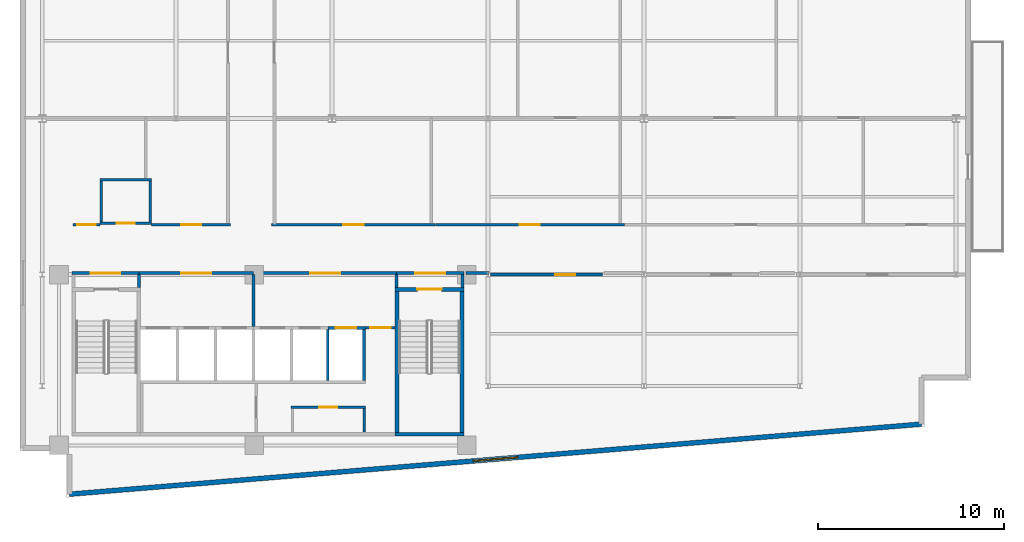
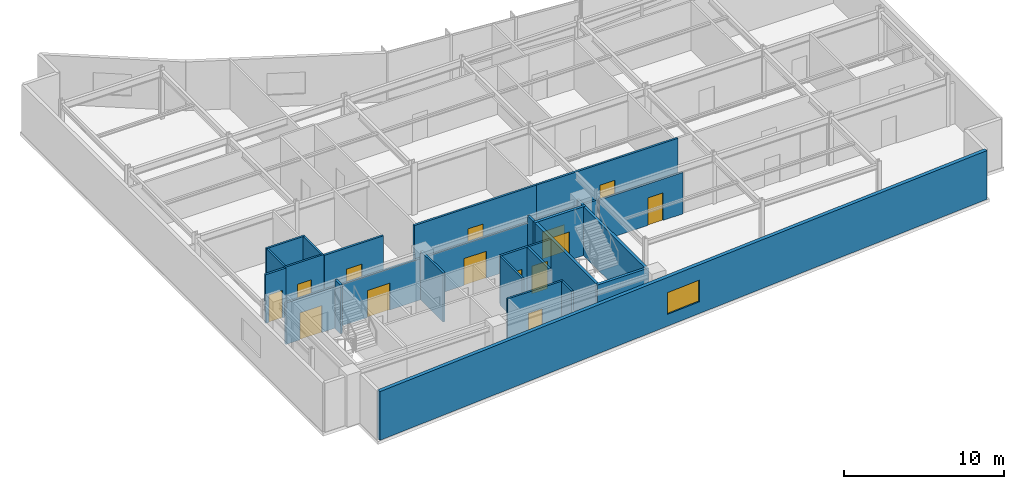
# One storey, part 9 of 14: 29 walls, 14 doors, 1 window, 15 openings.
"""IFC4 building model written with IfcOpenShell, lengths in metres."""

from ifc_helpers import new_model, si_unit, direction, frame, frame_2d, origin, place, context, subcontext, project, spatial, rectangle, extrude, material, layer, layer_set, type_object, element, fill, save


model = new_model("IFC4")

# Units and contexts
model_context = context("Model", 3, precision=1e-05, world=origin(), true_north=direction((0.0, 1.0)))
body_context = subcontext(model_context, "Body", "Model", "MODEL_VIEW")
ifc_project = project(units=[si_unit("LENGTHUNIT", "METRE"), si_unit("AREAUNIT", "SQUARE_METRE"), si_unit("VOLUMEUNIT", "CUBIC_METRE"), si_unit("PLANEANGLEUNIT", "RADIAN"), si_unit("MASSUNIT", "GRAM", prefix="KILO")], contexts=[model_context])

# Site, building, storey
site_placement = place(None, origin())
site = spatial("IfcSite", under=ifc_project, at=site_placement, CompositionType="ELEMENT")
building_placement = place(site_placement, origin())
building = spatial("IfcBuilding", under=site, at=building_placement, Name="Varnakote Quay Hospital", CompositionType="ELEMENT")
storey_placement = place(building_placement, frame((0.0, 0.0, 215.800048828125)))
storey = spatial("IfcBuildingStorey", under=building, at=storey_placement, Name="L53", CompositionType="ELEMENT", Elevation=215.800048828125)

# Wall, opening, door
ifc_material_1 = material(Name="Fire-rated acoustic gypsum stud wall", Category="gypsum")
ifc_layer_1 = layer(ifc_material_1, 0.159912109375)
ifc_layer_set_1 = layer_set([ifc_layer_1], Name="Fire-rated acoustic gypsum stud wall")
wall_type_1 = type_object("IfcWallType", Name="WL-COMP-160", PredefinedType="PARTITIONING", material=ifc_layer_set_1)
wall_1_placement = place(storey_placement, frame((2.800048828125, 12.080078125, 0.0), z_axis=(0.0, 0.0, 1.0), x_axis=(1.0, 0.0, 0.0)))
wall_1 = element("IfcWall", 1, at=wall_1_placement, inside=storey, type_object=wall_type_1, Name="L53 West Stair Vestibule Smoke Wall", PredefinedType="PARTITIONING", context=body_context, shape_type="SweptSolid", body=[
    extrude(rectangle(XDim=3.599853515625, YDim=0.159912109375, at=frame_2d((1.7998046875, 0.0))), origin(), (0.0, 0.0, 1.0), 3.15185546875),
])
opening_1_placement = place(wall_1_placement, frame((1.0, 0.0, 0.0)))
opening_1 = element("IfcOpeningElement", 2, at=opening_1_placement, cuts=wall_1, Name="Opening D-ST1L-L53", PredefinedType="OPENING", context=body_context, shape_type="SweptSolid", body=[
    extrude(rectangle(XDim=1.60009765625, YDim=2.050048828125, at=frame_2d((0.800048828125, 1.02490234375))), frame((0.0, 0.08984375, 0.0), z_axis=(0.0, -1.0, 0.0), x_axis=(1.0, 0.0, 0.0)), (0.0, 0.0, 1.0), 0.179931640625),
])
ifc_material_2 = material(Name="Fire-rated double smoke lobby door")
door_type_1 = type_object("IfcDoorType", Name="DR-LOBBY-FD60S-1600x2150", OperationType="NOTDEFINED", PredefinedType="DOOR", material=ifc_material_2)
door_1_placement = place(opening_1_placement, origin())
door_1 = element("IfcDoor", 3, at=door_1_placement, inside=storey, type_object=door_type_1, Name="L53 West Stair Vestibule Smoke Door", OperationType="DOUBLE_DOOR_SINGLE_SWING", OverallHeight=2.050048828125, OverallWidth=1.60009765625, PredefinedType="DOOR", context=body_context, shape_type="SweptSolid", body=[
    extrude(rectangle(XDim=1.60009765625, YDim=2.050048828125, at=frame_2d((0.800048828125, 1.02490234375))), frame((0.0, 0.02490234375, 0.0), z_axis=(0.0, -1.0, 0.0), x_axis=(1.0, 0.0, 0.0)), (0.0, 0.0, 1.0), 0.050048828125),
])
fill(opening_1, door_1)

# Wall
wall_2_placement = place(storey_placement, frame((6.39990234375, 11.300048828125, 0.0), z_axis=(0.0, 0.0, 1.0), x_axis=(0.0, 1.0, 0.0)))
element("IfcWall", 4, at=wall_2_placement, inside=storey, type_object=wall_type_1, Name="L53 Firefighting Lobby West Wall", PredefinedType="PARTITIONING", context=body_context, shape_type="SweptSolid", body=[
    extrude(rectangle(XDim=0.699951171875, YDim=0.159912109375, at=frame_2d((0.35009765625, 0.0))), origin(), (0.0, 0.0, 1.0), 3.7099609375),
])

# Wall, opening, door
wall_3_placement = place(storey_placement, frame((6.39990234375, 12.080078125, 0.0), z_axis=(0.0, 0.0, 1.0), x_axis=(1.0, 0.0, 0.0)))
wall_3 = element("IfcWall", 5, at=wall_3_placement, inside=storey, type_object=wall_type_1, Name="L53 Firefighting Lift Lobby Compartment Wall", PredefinedType="PARTITIONING", context=body_context, shape_type="SweptSolid", body=[
    extrude(rectangle(XDim=6.18017578125, YDim=0.159912109375, at=frame_2d((3.090087890625, 0.0))), origin(), (0.0, 0.0, 1.0), 3.15185546875),
])
opening_2_placement = place(wall_3_placement, frame((2.2900390625, 0.0, 0.0)))
opening_2 = element("IfcOpeningElement", 6, at=opening_2_placement, cuts=wall_3, Name="Opening D-FFL-L53", PredefinedType="OPENING", context=body_context, shape_type="SweptSolid", body=[
    extrude(rectangle(XDim=1.60009765625, YDim=2.050048828125, at=frame_2d((0.800048828125, 1.02490234375))), frame((0.0, 0.08984375, 0.0), z_axis=(0.0, -1.0, 0.0), x_axis=(1.0, 0.0, 0.0)), (0.0, 0.0, 1.0), 0.179931640625),
])
door_2_placement = place(opening_2_placement, origin())
door_2 = element("IfcDoor", 7, at=door_2_placement, inside=storey, type_object=door_type_1, Name="L53 Firefighting Smoke Vestibule Door", OperationType="DOUBLE_DOOR_SINGLE_SWING", OverallHeight=2.050048828125, OverallWidth=1.60009765625, PredefinedType="DOOR", context=body_context, shape_type="SweptSolid", body=[
    extrude(rectangle(XDim=1.60009765625, YDim=2.050048828125, at=frame_2d((0.800048828125, 1.02490234375))), frame((0.0, 0.02490234375, 0.0), z_axis=(0.0, -1.0, 0.0), x_axis=(1.0, 0.0, 0.0)), (0.0, 0.0, 1.0), 0.050048828125),
])
fill(opening_2, door_2)

# Wall
wall_4_placement = place(storey_placement, frame((12.580078125, 9.2099609375, 0.0), z_axis=(0.0, 0.0, 1.0), x_axis=(0.0, 1.0, 0.0)))
element("IfcWall", 8, at=wall_4_placement, inside=storey, type_object=wall_type_1, Name="L53 Firefighting to Service Lobby Wall", PredefinedType="PARTITIONING", context=body_context, shape_type="SweptSolid", body=[
    extrude(rectangle(XDim=2.7900390625, YDim=0.159912109375, at=frame_2d((1.39501953125, 0.0))), origin(), (0.0, 0.0, 1.0), 3.7099609375),
])

# Wall, opening, door
wall_5_placement = place(storey_placement, frame((12.580078125, 12.080078125, 0.0), z_axis=(0.0, 0.0, 1.0), x_axis=(1.0, 0.0, 0.0)))
wall_5 = element("IfcWall", 9, at=wall_5_placement, inside=storey, type_object=wall_type_1, Name="L53 Clinical Bed Lift Lobby Wall", PredefinedType="PARTITIONING", context=body_context, shape_type="SweptSolid", body=[
    extrude(rectangle(XDim=7.699951171875, YDim=0.159912109375, at=frame_2d((3.85009765625, 0.0))), origin(), (0.0, 0.0, 1.0), 3.15185546875),
])
opening_3_placement = place(wall_5_placement, frame((3.050048828125, 0.0, 0.0)))
opening_3 = element("IfcOpeningElement", 10, at=opening_3_placement, cuts=wall_5, Name="Opening D-SVL-L53", PredefinedType="OPENING", context=body_context, shape_type="SweptSolid", body=[
    extrude(rectangle(XDim=1.60009765625, YDim=2.050048828125, at=frame_2d((0.800048828125, 1.02490234375))), frame((0.0, 0.08984375, 0.0), z_axis=(0.0, -1.0, 0.0), x_axis=(1.0, 0.0, 0.0)), (0.0, 0.0, 1.0), 0.179931640625),
])
door_3_placement = place(opening_3_placement, origin())
door_3 = element("IfcDoor", 11, at=door_3_placement, inside=storey, type_object=door_type_1, Name="L53 Clinical Core Smoke Vestibule Door", OperationType="DOUBLE_DOOR_SINGLE_SWING", OverallHeight=2.050048828125, OverallWidth=1.60009765625, PredefinedType="DOOR", context=body_context, shape_type="SweptSolid", body=[
    extrude(rectangle(XDim=1.60009765625, YDim=2.050048828125, at=frame_2d((0.800048828125, 1.02490234375))), frame((0.0, 0.02490234375, 0.0), z_axis=(0.0, -1.0, 0.0), x_axis=(1.0, 0.0, 0.0)), (0.0, 0.0, 1.0), 0.050048828125),
])
fill(opening_3, door_3)

# Wall
wall_6_placement = place(storey_placement, frame((20.280029296875, 11.300048828125, 0.0), z_axis=(0.0, 0.0, 1.0), x_axis=(0.0, 1.0, 0.0)))
element("IfcWall", 12, at=wall_6_placement, inside=storey, type_object=wall_type_1, Name="L53 East Stair Vestibule Divider Wall", PredefinedType="PARTITIONING", context=body_context, shape_type="SweptSolid", body=[
    extrude(rectangle(XDim=0.699951171875, YDim=0.159912109375, at=frame_2d((0.35009765625, 0.0))), origin(), (0.0, 0.0, 1.0), 3.7099609375),
])

# Wall, opening, door
wall_7_placement = place(storey_placement, frame((20.280029296875, 12.080078125, 0.0), z_axis=(0.0, 0.0, 1.0), x_axis=(1.0, 0.0, 0.0)))
wall_7 = element("IfcWall", 13, at=wall_7_placement, inside=storey, type_object=wall_type_1, Name="L53 East Stair Vestibule Smoke Wall", PredefinedType="PARTITIONING", context=body_context, shape_type="SweptSolid", body=[
    extrude(rectangle(XDim=3.619873046875, YDim=0.159912109375, at=frame_2d((1.81005859375, 0.0))), origin(), (0.0, 0.0, 1.0), 3.15185546875),
])
opening_4_placement = place(wall_7_placement, frame((1.010009765625, 0.0, 0.0)))
opening_4 = element("IfcOpeningElement", 14, at=opening_4_placement, cuts=wall_7, Name="Opening D-ST2L-L53", PredefinedType="OPENING", context=body_context, shape_type="SweptSolid", body=[
    extrude(rectangle(XDim=1.60009765625, YDim=2.050048828125, at=frame_2d((0.800048828125, 1.02490234375))), frame((0.0, 0.08984375, 0.0), z_axis=(0.0, -1.0, 0.0), x_axis=(1.0, 0.0, 0.0)), (0.0, 0.0, 1.0), 0.179931640625),
])
door_4_placement = place(opening_4_placement, origin())
door_4 = element("IfcDoor", 15, at=door_4_placement, inside=storey, type_object=door_type_1, Name="L53 East Stair Vestibule Smoke Door", OperationType="DOUBLE_DOOR_SINGLE_SWING", OverallHeight=2.050048828125, OverallWidth=1.60009765625, PredefinedType="DOOR", context=body_context, shape_type="SweptSolid", body=[
    extrude(rectangle(XDim=1.60009765625, YDim=2.050048828125, at=frame_2d((0.800048828125, 1.02490234375))), frame((0.0, 0.02490234375, 0.0), z_axis=(0.0, -1.0, 0.0), x_axis=(1.0, 0.0, 0.0)), (0.0, 0.0, 1.0), 0.050048828125),
])
fill(opening_4, door_4)

# Walls
wall_8_placement = place(storey_placement, frame((23.820068359375, 11.300048828125, 0.0), z_axis=(0.0, 0.0, 1.0), x_axis=(0.0, 1.0, 0.0)))
element("IfcWall", 16, at=wall_8_placement, inside=storey, type_object=wall_type_1, Name="L53 East Stair Vestibule East Wall", PredefinedType="PARTITIONING", context=body_context, shape_type="SweptSolid", body=[
    extrude(rectangle(XDim=0.699951171875, YDim=0.159912109375, at=frame_2d((0.35009765625, 0.0))), origin(), (0.0, 0.0, 1.0), 3.7099609375),
])
wall_9_placement = place(storey_placement, frame((24.02001953125, 12.080078125, 0.0), z_axis=(0.0, 0.0, 1.0), x_axis=(1.0, 0.0, 0.0)))
element("IfcWall", 17, at=wall_9_placement, inside=storey, type_object=wall_type_1, Name="L53 Corridor South Gap Wall", PredefinedType="PARTITIONING", context=body_context, shape_type="SweptSolid", body=[
    extrude(rectangle(XDim=1.21875, YDim=0.159912109375, at=frame_2d((0.609375, 0.0))), origin(), (0.0, 0.0, 1.0), 3.15185546875),
])

# Wall, opening, window
ifc_material_3 = material(Name="Precast concrete N50 (f'c 50 MPa)", Category="concrete")
ifc_layer_2 = layer(ifc_material_3, 0.260009765625)
ifc_layer_set_2 = layer_set([ifc_layer_2], Name="Precast concrete N50 (f'c 50 MPa)")
wall_type_2 = type_object("IfcWallType", Name="WL-EXT-BRICK-260", PredefinedType="STANDARD", material=ifc_layer_set_2)
wall_10_placement = place(storey_placement, frame((2.659912109375, 0.173583984375, 0.0), z_axis=(0.0, 0.0, 1.0), x_axis=(0.996634028439, 0.081979347142, 0.0)))
wall_10 = element("IfcWall", 18, at=wall_10_placement, inside=storey, type_object=wall_type_2, Name="L53 Brick-Faced Precast Exterior Wall", PredefinedType="STANDARD", context=body_context, shape_type="SweptSolid", body=[
    extrude(rectangle(XDim=46.03515625, YDim=0.260009765625, at=frame_2d((23.017578125, 0.0))), origin(), (0.0, 0.0, 1.0), 3.7099609375),
])
opening_5_placement = place(wall_10_placement, frame((21.8173828125, 0.0, 0.89990234375)))
opening_5 = element("IfcOpeningElement", 19, at=opening_5_placement, cuts=wall_10, Name="Opening WN-0218", PredefinedType="OPENING", context=body_context, shape_type="SweptSolid", body=[
    extrude(rectangle(XDim=2.39990234375, YDim=1.64990234375, at=frame_2d((1.199951171875, 0.824951171875))), frame((0.0, 0.139892578125, 0.0), z_axis=(0.0, -1.0, 0.0), x_axis=(1.0, 0.0, 0.0)), (0.0, 0.0, 1.0), 0.280029296875),
])
ifc_material_4 = material(Name="Double-glazed low-E solar glass", Category="glass")
window_type = type_object("IfcWindowType", Name="WIN-CLIN-2400x1650", PartitioningType="SINGLE_PANEL", PredefinedType="WINDOW", material=ifc_material_4)
window_placement = place(opening_5_placement, origin())
window = element("IfcWindow", 20, at=window_placement, inside=storey, type_object=window_type, Name="L53 Solar-Control Clinical Window", OverallHeight=1.64990234375, OverallWidth=2.39990234375, PartitioningType="SINGLE_PANEL", PredefinedType="WINDOW", context=body_context, shape_type="SweptSolid", body=[
    extrude(rectangle(XDim=2.39990234375, YDim=1.64990234375, at=frame_2d((1.199951171875, 0.824951171875))), frame((0.0, 0.030029296875, 0.0), z_axis=(0.0, -1.0, 0.0), x_axis=(1.0, 0.0, 0.0)), (0.0, 0.0, 1.0), 0.06005859375),
])
fill(opening_5, window)

# Walls
ifc_material_5 = material(Name="Concrete N50 (f'c 50 MPa)", Category="concrete")
ifc_layer_3 = layer(ifc_material_5, 0.14990234375)
ifc_layer_set_3 = layer_set([ifc_layer_3], Name="Concrete N50 (f'c 50 MPa)")
wall_type_3 = type_object("IfcWallType", Name="WL-SHAFT-N50-150", PredefinedType="SHEAR", material=ifc_layer_set_3)
wall_11_placement = place(storey_placement, frame((16.574951171875, 6.300048828125, 0.0), z_axis=(0.0, 0.0, 1.0), x_axis=(0.0, 1.0, 0.0)))
element("IfcWall", 21, at=wall_11_placement, inside=storey, type_object=wall_type_3, Name="L53 LF-PH1 Hoistway Divider Wall", PredefinedType="SHEAR", context=body_context, shape_type="SweptSolid", body=[
    extrude(rectangle(XDim=2.75, YDim=0.14990234375, at=frame_2d((1.375, 0.0))), origin(), (0.0, 0.0, 1.0), 3.7099609375),
])
ifc_material_6 = material(Name="Concrete N50 (f'c 50 MPa)", Category="concrete")
ifc_layer_4 = layer(ifc_material_6, 0.159912109375)
ifc_layer_set_4 = layer_set([ifc_layer_4], Name="Concrete N50 (f'c 50 MPa)")
wall_type_4 = type_object("IfcWallType", Name="WL-SHAFT-N50-160", PredefinedType="SHEAR", material=ifc_layer_set_4)
wall_12_placement = place(storey_placement, frame((18.530029296875, 6.300048828125, 0.0), z_axis=(0.0, 0.0, 1.0), x_axis=(0.0, 1.0, 0.0)))
element("IfcWall", 22, at=wall_12_placement, inside=storey, type_object=wall_type_4, Name="L53 REAR Lift Bank East Shear Wall", PredefinedType="SHEAR", context=body_context, shape_type="SweptSolid", body=[
    extrude(rectangle(XDim=2.75, YDim=0.159912109375, at=frame_2d((1.375, 0.0))), origin(), (0.0, 0.0, 1.0), 3.7099609375),
])

# Wall, opening, door
wall_13_placement = place(storey_placement, frame((16.574951171875, 9.1298828125, 0.0), z_axis=(0.0, 0.0, 1.0), x_axis=(1.0, 0.0, 0.0)))
wall_13 = element("IfcWall", 23, at=wall_13_placement, inside=storey, type_object=wall_type_4, Name="L53 LF-PH2 Hoistway Front Wall", PredefinedType="SHEAR", context=body_context, shape_type="SweptSolid", body=[
    extrude(rectangle(XDim=2.03515625, YDim=0.159912109375, at=frame_2d((1.017578125, 0.0))), origin(), (0.0, 0.0, 1.0), 3.7099609375),
])
opening_6_placement = place(wall_13_placement, frame((0.425048828125, 0.0, 0.0)))
opening_6 = element("IfcOpeningElement", 24, at=opening_6_placement, cuts=wall_13, Name="Opening LD-PH2-L53", PredefinedType="OPENING", context=body_context, shape_type="SweptSolid", body=[
    extrude(rectangle(XDim=1.10009765625, YDim=2.14990234375, at=frame_2d((0.550048828125, 1.074951171875))), frame((0.0, 0.08984375, 0.0), z_axis=(0.0, -1.0, 0.0), x_axis=(1.0, 0.0, 0.0)), (0.0, 0.0, 1.0), 0.179931640625),
])
ifc_material_7 = material(Name="Brushed bronze lift landing sliding door")
door_type_2 = type_object("IfcDoorType", Name="DR-LIFT-LD-1100x2150", OperationType="NOTDEFINED", PredefinedType="DOOR", material=ifc_material_7)
door_5_placement = place(opening_6_placement, origin())
door_5 = element("IfcDoor", 25, at=door_5_placement, inside=storey, type_object=door_type_2, Name="L53 LF-PH2 Lift Landing Sliding Door", OperationType="SLIDING_TO_LEFT", OverallHeight=2.14990234375, OverallWidth=1.10009765625, PredefinedType="DOOR", context=body_context, shape_type="SweptSolid", body=[
    extrude(rectangle(XDim=1.10009765625, YDim=2.14990234375, at=frame_2d((0.550048828125, 1.074951171875))), frame((0.0, 0.02490234375, 0.0), z_axis=(0.0, -1.0, 0.0), x_axis=(1.0, 0.0, 0.0)), (0.0, 0.0, 1.0), 0.050048828125),
])
fill(opening_6, door_5)

# Walls
ifc_material_8 = material(Name="Concrete N50 (f'c 50 MPa)", Category="concrete")
ifc_layer_5 = layer(ifc_material_8, 0.199951171875)
ifc_layer_set_5 = layer_set([ifc_layer_5], Name="Concrete N50 (f'c 50 MPa)")
wall_type_5 = type_object("IfcWallType", Name="WL-SHAFT-N50-200", PredefinedType="SHEAR", material=ifc_layer_set_5)
wall_14_placement = place(storey_placement, frame((20.199951171875, 3.39990234375, 0.0), z_axis=(0.0, 0.0, 1.0), x_axis=(1.0, 0.0, 0.0)))
element("IfcWall", 26, at=wall_14_placement, inside=storey, type_object=wall_type_5, Name="L53 Stair ST2 South Shaft Wall", PredefinedType="SHEAR", context=body_context, shape_type="SweptSolid", body=[
    extrude(rectangle(XDim=3.699951171875, YDim=0.199951171875, at=frame_2d((1.85009765625, 0.0))), origin(), (0.0, 0.0, 1.0), 3.7099609375),
])
for number, where, z_axis, x_axis, name in (
    (27, (20.300048828125, 3.5, 0.0), (0.0, 0.0, 1.0), (0.0, 1.0, 0.0), "L53 Stair ST2 West Shaft Wall"),
    (28, (23.800048828125, 3.5, 0.0), (0.0, 0.0, 1.0), (0.0, 1.0, 0.0), "L53 Stair ST2 East Shaft Wall"),
):
    element("IfcWall", number, at=place(storey_placement, frame(where, z_axis=z_axis, x_axis=x_axis)), inside=storey, type_object=wall_type_5, Name=name, PredefinedType="SHEAR", context=body_context, shape_type="SweptSolid", body=[
        extrude(rectangle(XDim=7.60009765625, YDim=0.199951171875, at=frame_2d((3.800048828125, 0.0))), origin(), (0.0, 0.0, 1.0), 3.7099609375),
    ])

# Wall, opening, door
wall_15_placement = place(storey_placement, frame((20.199951171875, 11.199951171875, 0.0), z_axis=(0.0, 0.0, 1.0), x_axis=(1.0, 0.0, 0.0)))
wall_15 = element("IfcWall", 29, at=wall_15_placement, inside=storey, type_object=wall_type_5, Name="L53 Stair ST2 Exit Wall", PredefinedType="SHEAR", context=body_context, shape_type="SweptSolid", body=[
    extrude(rectangle(XDim=3.699951171875, YDim=0.199951171875, at=frame_2d((1.85009765625, 0.0))), origin(), (0.0, 0.0, 1.0), 3.7099609375),
])
opening_7_placement = place(wall_15_placement, frame((1.199951171875, 0.0, 0.0)))
opening_7 = element("IfcOpeningElement", 30, at=opening_7_placement, cuts=wall_15, Name="Opening D-ST2-L53", PredefinedType="OPENING", context=body_context, shape_type="SweptSolid", body=[
    extrude(rectangle(XDim=1.300048828125, YDim=2.14990234375, at=frame_2d((0.64990234375, 1.074951171875))), frame((0.0, 0.10986328125, 0.0), z_axis=(0.0, -1.0, 0.0), x_axis=(1.0, 0.0, 0.0)), (0.0, 0.0, 1.0), 0.219970703125),
])
ifc_material_9 = material(Name="Fire-rated ceramic-glazed timber exit door", Category="wood")
door_type_3 = type_object("IfcDoorType", Name="DR-STAIR-FD60S-1300x2150", OperationType="NOTDEFINED", PredefinedType="DOOR", material=ifc_material_9)
door_6_placement = place(opening_7_placement, origin())
door_6 = element("IfcDoor", 31, at=door_6_placement, inside=storey, type_object=door_type_3, Name="L53 Stair ST2 Fire Exit Door", OperationType="SINGLE_SWING_LEFT", OverallHeight=2.14990234375, OverallWidth=1.300048828125, PredefinedType="DOOR", context=body_context, shape_type="SweptSolid", body=[
    extrude(rectangle(XDim=1.300048828125, YDim=2.14990234375, at=frame_2d((0.64990234375, 1.074951171875))), frame((0.0, 0.02490234375, 0.0), z_axis=(0.0, -1.0, 0.0), x_axis=(1.0, 0.0, 0.0)), (0.0, 0.0, 1.0), 0.050048828125),
])
fill(opening_7, door_6)

# Wall
ifc_material_10 = material(Name="Smoke-proof clinical partition", Category="gypsum")
ifc_layer_6 = layer(ifc_material_10, 0.1201171875)
ifc_layer_set_6 = layer_set([ifc_layer_6], Name="Smoke-proof clinical partition")
wall_type_6 = type_object("IfcWallType", Name="WL-SMOKE-120", PredefinedType="PARTITIONING", material=ifc_layer_set_6)
wall_16_placement = place(storey_placement, frame((18.5400390625, 3.52001953125, 0.0), z_axis=(0.0, 0.0, 1.0), x_axis=(0.0, 1.0, 0.0)))
element("IfcWall", 32, at=wall_16_placement, inside=storey, type_object=wall_type_6, Name="L53 Core WC East Wall", PredefinedType="PARTITIONING", context=body_context, shape_type="SweptSolid", body=[
    extrude(rectangle(XDim=1.260009765625, YDim=0.1201171875, at=frame_2d((0.6298828125, 0.0))), origin(), (0.0, 0.0, 1.0), 3.7099609375),
])

# Wall, opening, door
ifc_material_11 = material(Name="Fire-rated clinical gypsum partition", Category="gypsum")
ifc_layer_7 = layer(ifc_material_11, 0.139892578125)
ifc_layer_set_7 = layer_set([ifc_layer_7], Name="Fire-rated clinical gypsum partition")
wall_type_7 = type_object("IfcWallType", Name="WL-WARD-140", PredefinedType="PARTITIONING", material=ifc_layer_set_7)
wall_17_placement = place(storey_placement, frame((14.60009765625, 4.85009765625, 0.0), z_axis=(0.0, 0.0, 1.0), x_axis=(1.0, 0.0, 0.0)))
wall_17 = element("IfcWall", 33, at=wall_17_placement, inside=storey, type_object=wall_type_7, Name="L53 Core Staff Sanitary WC North Wall", PredefinedType="PARTITIONING", context=body_context, shape_type="SweptSolid", body=[
    extrude(rectangle(XDim=4.0, YDim=0.139892578125, at=frame_2d((2.0, 0.0))), origin(), (0.0, 0.0, 1.0), 3.7099609375),
])
opening_8_placement = place(wall_17_placement, frame((1.510009765625, 0.0, 0.0)))
opening_8 = element("IfcOpeningElement", 34, at=opening_8_placement, cuts=wall_17, Name="Opening D-L53-CR02", PredefinedType="OPENING", context=body_context, shape_type="SweptSolid", body=[
    extrude(rectangle(XDim=0.97998046875, YDim=2.10009765625, at=frame_2d((0.489990234375, 1.050048828125))), frame((0.0, 0.079833984375, 0.0), z_axis=(0.0, -1.0, 0.0), x_axis=(1.0, 0.0, 0.0)), (0.0, 0.0, 1.0), 0.159912109375),
])
ifc_material_12 = material(Name="Accessible sanitary compartment door")
door_type_4 = type_object("IfcDoorType", Name="DR-WC-980x2100", OperationType="NOTDEFINED", PredefinedType="DOOR", material=ifc_material_12)
door_7_placement = place(opening_8_placement, origin())
door_7 = element("IfcDoor", 35, at=door_7_placement, inside=storey, type_object=door_type_4, Name="L53 Core Staff Sanitary WC Door", OperationType="SINGLE_SWING_LEFT", OverallHeight=2.10009765625, OverallWidth=0.97998046875, PredefinedType="DOOR", context=body_context, shape_type="SweptSolid", body=[
    extrude(rectangle(XDim=0.97998046875, YDim=2.10009765625, at=frame_2d((0.489990234375, 1.050048828125))), frame((0.0, 0.02490234375, 0.0), z_axis=(0.0, -1.0, 0.0), x_axis=(1.0, 0.0, 0.0)), (0.0, 0.0, 1.0), 0.050048828125),
])
fill(opening_8, door_7)

wall_18_placement = place(storey_placement, frame((18.610107421875, 9.1298828125, 0.0), z_axis=(0.0, 0.0, 1.0), x_axis=(1.0, 0.0, 0.0)))
wall_18 = element("IfcWall", 36, at=wall_18_placement, inside=storey, type_object=wall_type_7, Name="L53 Core Service Corridor North Door Wall", PredefinedType="PARTITIONING", context=body_context, shape_type="SweptSolid", body=[
    extrude(rectangle(XDim=1.58984375, YDim=0.139892578125, at=frame_2d((0.794921875, 0.0))), origin(), (0.0, 0.0, 1.0), 3.7099609375),
])
opening_9_placement = place(wall_18_placement, frame((0.239990234375, 0.0, 0.0)))
opening_9 = element("IfcOpeningElement", 37, at=opening_9_placement, cuts=wall_18, Name="Opening D-CSRV-L53", PredefinedType="OPENING", context=body_context, shape_type="SweptSolid", body=[
    extrude(rectangle(XDim=1.10009765625, YDim=2.10009765625, at=frame_2d((0.550048828125, 1.050048828125))), frame((0.0, 0.079833984375, 0.0), z_axis=(0.0, -1.0, 0.0), x_axis=(1.0, 0.0, 0.0)), (0.0, 0.0, 1.0), 0.159912109375),
])
ifc_material_13 = material(Name="Acoustic timber clinical consult door", Category="wood")
door_type_5 = type_object("IfcDoorType", Name="DR-CLIN-FD30S-1100x2100", OperationType="NOTDEFINED", PredefinedType="DOOR", material=ifc_material_13)
door_8_placement = place(opening_9_placement, origin())
door_8 = element("IfcDoor", 38, at=door_8_placement, inside=storey, type_object=door_type_5, Name="L53 Core Service Corridor Door", OperationType="SINGLE_SWING_RIGHT", OverallHeight=2.10009765625, OverallWidth=1.10009765625, PredefinedType="DOOR", context=body_context, shape_type="SweptSolid", body=[
    extrude(rectangle(XDim=1.10009765625, YDim=2.10009765625, at=frame_2d((0.550048828125, 1.050048828125))), frame((0.0, 0.02490234375, 0.0), z_axis=(0.0, -1.0, 0.0), x_axis=(1.0, 0.0, 0.0)), (0.0, 0.0, 1.0), 0.050048828125),
])
fill(opening_9, door_8)

wall_19_placement = place(storey_placement, frame((4.31005859375, 14.77001953125, 0.0), z_axis=(0.0, 0.0, 1.0), x_axis=(1.0, 0.0, 0.0)))
wall_19 = element("IfcWall", 39, at=wall_19_placement, inside=storey, type_object=wall_type_7, Name="L53 Floor Unisex Accessible WC S Wall", PredefinedType="PARTITIONING", context=body_context, shape_type="SweptSolid", body=[
    extrude(rectangle(XDim=2.780029296875, YDim=0.139892578125, at=frame_2d((1.39013671875, 0.0))), origin(), (0.0, 0.0, 1.0), 3.7099609375),
])
opening_10_placement = place(wall_19_placement, frame((0.89990234375, 0.0, 0.0)))
opening_10 = element("IfcOpeningElement", 40, at=opening_10_placement, cuts=wall_19, Name="Opening D-L53-EW01", PredefinedType="OPENING", context=body_context, shape_type="SweptSolid", body=[
    extrude(rectangle(XDim=0.97998046875, YDim=2.10009765625, at=frame_2d((0.489990234375, 1.050048828125))), frame((0.0, 0.079833984375, 0.0), z_axis=(0.0, -1.0, 0.0), x_axis=(1.0, 0.0, 0.0)), (0.0, 0.0, 1.0), 0.159912109375),
])
door_9_placement = place(opening_10_placement, origin())
door_9 = element("IfcDoor", 41, at=door_9_placement, inside=storey, type_object=door_type_4, Name="L53 Floor Unisex Accessible WC Door", OperationType="SINGLE_SWING_LEFT", OverallHeight=2.10009765625, OverallWidth=0.97998046875, PredefinedType="DOOR", context=body_context, shape_type="SweptSolid", body=[
    extrude(rectangle(XDim=0.97998046875, YDim=2.10009765625, at=frame_2d((0.489990234375, 1.050048828125))), frame((0.0, 0.02490234375, 0.0), z_axis=(0.0, -1.0, 0.0), x_axis=(1.0, 0.0, 0.0)), (0.0, 0.0, 1.0), 0.050048828125),
])
fill(opening_10, door_9)

# Walls
wall_20_placement = place(storey_placement, frame((4.31005859375, 17.110107421875, 0.0), z_axis=(0.0, 0.0, 1.0), x_axis=(1.0, 0.0, 0.0)))
element("IfcWall", 42, at=wall_20_placement, inside=storey, type_object=wall_type_7, Name="L53 Floor Unisex Accessible WC N Wall", PredefinedType="PARTITIONING", context=body_context, shape_type="SweptSolid", body=[
    extrude(rectangle(XDim=2.780029296875, YDim=0.139892578125, at=frame_2d((1.39013671875, 0.0))), origin(), (0.0, 0.0, 1.0), 3.7099609375),
])
for number, where, z_axis, x_axis, name in (
    (43, (4.3798828125, 14.840087890625, 0.0), (0.0, 0.0, 1.0), (0.0, 1.0, 0.0), "L53 Floor Unisex Accessible WC W Wall"),
    (44, (7.02001953125, 14.840087890625, 0.0), (0.0, 0.0, 1.0), (0.0, 1.0, 0.0), "L53 Floor Unisex Accessible WC E Wall"),
):
    element("IfcWall", number, at=place(storey_placement, frame(where, z_axis=z_axis, x_axis=x_axis)), inside=storey, type_object=wall_type_7, Name=name, PredefinedType="PARTITIONING", context=body_context, shape_type="SweptSolid", body=[
        extrude(rectangle(XDim=2.199951171875, YDim=0.139892578125, at=frame_2d((1.10009765625, 0.0))), origin(), (0.0, 0.0, 1.0), 3.7099609375),
    ])

# Wall, opening, door
ifc_material_14 = material(Name="Fire-rated clinical gypsum partition", Category="gypsum")
ifc_layer_8 = layer(ifc_material_14, 0.14990234375)
ifc_layer_set_8 = layer_set([ifc_layer_8], Name="Fire-rated clinical gypsum partition")
wall_type_8 = type_object("IfcWallType", Name="WL-WARD-150", PredefinedType="PARTITIONING", material=ifc_layer_set_8)
wall_21_placement = place(storey_placement, frame((31.35009765625, 12.0, 0.0), z_axis=(0.0, 0.0, 1.0), x_axis=(-1.0, 0.0, 0.0)))
wall_21 = element("IfcWall", 45, at=wall_21_placement, inside=storey, type_object=wall_type_8, Name="L53 Clinical Interior Partition", PredefinedType="PARTITIONING", context=body_context, shape_type="SweptSolid", body=[
    extrude(rectangle(XDim=6.022216796875, YDim=0.14990234375, at=frame_2d((3.01123046875, 0.0))), origin(), (0.0, 0.0, 1.0), 3.15185546875),
])
opening_11_placement = place(wall_21_placement, frame((1.443603515625, 0.0, 0.0)))
opening_11 = element("IfcOpeningElement", 46, at=opening_11_placement, cuts=wall_21, Name="Opening D-L53-RL1", PredefinedType="OPENING", context=body_context, shape_type="SweptSolid", body=[
    extrude(rectangle(XDim=1.10009765625, YDim=2.10009765625, at=frame_2d((0.550048828125, 1.050048828125))), frame((0.0, 0.0849609375, 0.0), z_axis=(0.0, -1.0, 0.0), x_axis=(1.0, 0.0, 0.0)), (0.0, 0.0, 1.0), 0.169921875),
])
door_10_placement = place(opening_11_placement, origin())
door_10 = element("IfcDoor", 47, at=door_10_placement, inside=storey, type_object=door_type_5, Name="L53 Day Infusion Treatment Suite Door", OperationType="SINGLE_SWING_RIGHT", OverallHeight=2.10009765625, OverallWidth=1.10009765625, PredefinedType="DOOR", context=body_context, shape_type="SweptSolid", body=[
    extrude(rectangle(XDim=1.10009765625, YDim=2.10009765625, at=frame_2d((0.550048828125, 1.050048828125))), frame((0.0, 0.02490234375, 0.0), z_axis=(0.0, -1.0, 0.0), x_axis=(1.0, 0.0, 0.0)), (0.0, 0.0, 1.0), 0.050048828125),
])
fill(opening_11, door_10)

wall_22_placement = place(storey_placement, frame((4.30810546875, 14.679931640625, 0.0), z_axis=(0.0, 0.0, 1.0), x_axis=(-1.0, 0.0, 0.0)))
wall_22 = element("IfcWall", 48, at=wall_22_placement, inside=storey, type_object=wall_type_8, Name="L53 Clinical Interior Partition", PredefinedType="PARTITIONING", context=body_context, shape_type="SweptSolid", body=[
    extrude(rectangle(XDim=1.4580078125, YDim=0.14990234375, at=frame_2d((0.72900390625, 0.0))), origin(), (0.0, 0.0, 1.0), 3.7099609375),
])
opening_12_placement = place(wall_22_placement, frame((0.239013671875, 0.0, 0.0)))
opening_12 = element("IfcOpeningElement", 49, at=opening_12_placement, cuts=wall_22, Name="Opening D-L53-MD01", PredefinedType="OPENING", context=body_context, shape_type="SweptSolid", body=[
    extrude(rectangle(XDim=0.97998046875, YDim=2.10009765625, at=frame_2d((0.489990234375, 1.050048828125))), frame((0.0, 0.0849609375, 0.0), z_axis=(0.0, -1.0, 0.0), x_axis=(1.0, 0.0, 0.0)), (0.0, 0.0, 1.0), 0.169921875),
])
door_11_placement = place(opening_12_placement, origin())
door_11 = element("IfcDoor", 50, at=door_11_placement, inside=storey, type_object=door_type_4, Name="L53 Day Procedure Treatment Suite Door", OperationType="SINGLE_SWING_LEFT", OverallHeight=2.10009765625, OverallWidth=0.97998046875, PredefinedType="DOOR", context=body_context, shape_type="SweptSolid", body=[
    extrude(rectangle(XDim=0.97998046875, YDim=2.10009765625, at=frame_2d((0.489990234375, 1.050048828125))), frame((0.0, 0.02490234375, 0.0), z_axis=(0.0, -1.0, 0.0), x_axis=(1.0, 0.0, 0.0)), (0.0, 0.0, 1.0), 0.050048828125),
])
fill(opening_12, door_11)

wall_23_placement = place(storey_placement, frame((11.345947265625, 14.679931640625, 0.0), z_axis=(0.0, 0.0, 1.0), x_axis=(-1.0, 0.0, 0.0)))
wall_23 = element("IfcWall", 51, at=wall_23_placement, inside=storey, type_object=wall_type_8, Name="L53 Clinical Interior Partition", PredefinedType="PARTITIONING", context=body_context, shape_type="SweptSolid", body=[
    extrude(rectangle(XDim=4.25390625, YDim=0.14990234375, at=frame_2d((2.126953125, 0.0))), origin(), (0.0, 0.0, 1.0), 3.7099609375),
])
opening_13_placement = place(wall_23_placement, frame((1.576904296875, 0.0, 0.0)))
opening_13 = element("IfcOpeningElement", 52, at=opening_13_placement, cuts=wall_23, Name="Opening D-L53-MD02", PredefinedType="OPENING", context=body_context, shape_type="SweptSolid", body=[
    extrude(rectangle(XDim=1.10009765625, YDim=2.10009765625, at=frame_2d((0.550048828125, 1.050048828125))), frame((0.0, 0.0849609375, 0.0), z_axis=(0.0, -1.0, 0.0), x_axis=(1.0, 0.0, 0.0)), (0.0, 0.0, 1.0), 0.169921875),
])
door_12_placement = place(opening_13_placement, origin())
door_12 = element("IfcDoor", 53, at=door_12_placement, inside=storey, type_object=door_type_5, Name="L53 Oncology Infusion Treatment Suite Door", OperationType="SINGLE_SWING_RIGHT", OverallHeight=2.10009765625, OverallWidth=1.10009765625, PredefinedType="DOOR", context=body_context, shape_type="SweptSolid", body=[
    extrude(rectangle(XDim=1.10009765625, YDim=2.10009765625, at=frame_2d((0.550048828125, 1.050048828125))), frame((0.0, 0.02490234375, 0.0), z_axis=(0.0, -1.0, 0.0), x_axis=(1.0, 0.0, 0.0)), (0.0, 0.0, 1.0), 0.050048828125),
])
fill(opening_13, door_12)

wall_24_placement = place(storey_placement, frame((22.35595703125, 14.679931640625, 0.0), z_axis=(0.0, 0.0, 1.0), x_axis=(-1.0, 0.0, 0.0)))
wall_24 = element("IfcWall", 54, at=wall_24_placement, inside=storey, type_object=wall_type_8, Name="L53 Clinical Interior Partition", PredefinedType="PARTITIONING", context=body_context, shape_type="SweptSolid", body=[
    extrude(rectangle(XDim=8.802001953125, YDim=0.14990234375, at=frame_2d((4.40087890625, 0.0))), origin(), (0.0, 0.0, 1.0), 3.7099609375),
])
opening_14_placement = place(wall_24_placement, frame((3.85107421875, 0.0, 0.0)))
opening_14 = element("IfcOpeningElement", 55, at=opening_14_placement, cuts=wall_24, Name="Opening D-L53-MD03", PredefinedType="OPENING", context=body_context, shape_type="SweptSolid", body=[
    extrude(rectangle(XDim=1.10009765625, YDim=2.10009765625, at=frame_2d((0.550048828125, 1.050048828125))), frame((0.0, 0.0849609375, 0.0), z_axis=(0.0, -1.0, 0.0), x_axis=(1.0, 0.0, 0.0)), (0.0, 0.0, 1.0), 0.169921875),
])
door_13_placement = place(opening_14_placement, origin())
door_13 = element("IfcDoor", 56, at=door_13_placement, inside=storey, type_object=door_type_5, Name="L53 Ward Clean Medication Pantry Door", OperationType="SINGLE_SWING_LEFT", OverallHeight=2.10009765625, OverallWidth=1.10009765625, PredefinedType="DOOR", context=body_context, shape_type="SweptSolid", body=[
    extrude(rectangle(XDim=1.10009765625, YDim=2.10009765625, at=frame_2d((0.550048828125, 1.050048828125))), frame((0.0, 0.02490234375, 0.0), z_axis=(0.0, -1.0, 0.0), x_axis=(1.0, 0.0, 0.0)), (0.0, 0.0, 1.0), 0.050048828125),
])
fill(opening_14, door_13)

wall_25_placement = place(storey_placement, frame((32.535888671875, 14.679931640625, 0.0), z_axis=(0.0, 0.0, 1.0), x_axis=(-1.0, 0.0, 0.0)))
wall_25 = element("IfcWall", 57, at=wall_25_placement, inside=storey, type_object=wall_type_8, Name="L53 Clinical Interior Partition", PredefinedType="PARTITIONING", context=body_context, shape_type="SweptSolid", body=[
    extrude(rectangle(XDim=10.177978515625, YDim=0.14990234375, at=frame_2d((5.0888671875, 0.0))), origin(), (0.0, 0.0, 1.0), 3.7099609375),
])
opening_15_placement = place(wall_25_placement, frame((4.5390625, 0.0, 0.0)))
opening_15 = element("IfcOpeningElement", 58, at=opening_15_placement, cuts=wall_25, Name="Opening D-L53-MD04", PredefinedType="OPENING", context=body_context, shape_type="SweptSolid", body=[
    extrude(rectangle(XDim=1.10009765625, YDim=2.10009765625, at=frame_2d((0.550048828125, 1.050048828125))), frame((0.0, 0.0849609375, 0.0), z_axis=(0.0, -1.0, 0.0), x_axis=(1.0, 0.0, 0.0)), (0.0, 0.0, 1.0), 0.169921875),
])
door_14_placement = place(opening_15_placement, origin())
door_14 = element("IfcDoor", 59, at=door_14_placement, inside=storey, type_object=door_type_5, Name="L53 Oncology Nurse Office Door", OperationType="SINGLE_SWING_RIGHT", OverallHeight=2.10009765625, OverallWidth=1.10009765625, PredefinedType="DOOR", context=body_context, shape_type="SweptSolid", body=[
    extrude(rectangle(XDim=1.10009765625, YDim=2.10009765625, at=frame_2d((0.550048828125, 1.050048828125))), frame((0.0, 0.02490234375, 0.0), z_axis=(0.0, -1.0, 0.0), x_axis=(1.0, 0.0, 0.0)), (0.0, 0.0, 1.0), 0.050048828125),
])
fill(opening_15, door_14)

save(model, "model.ifc")
